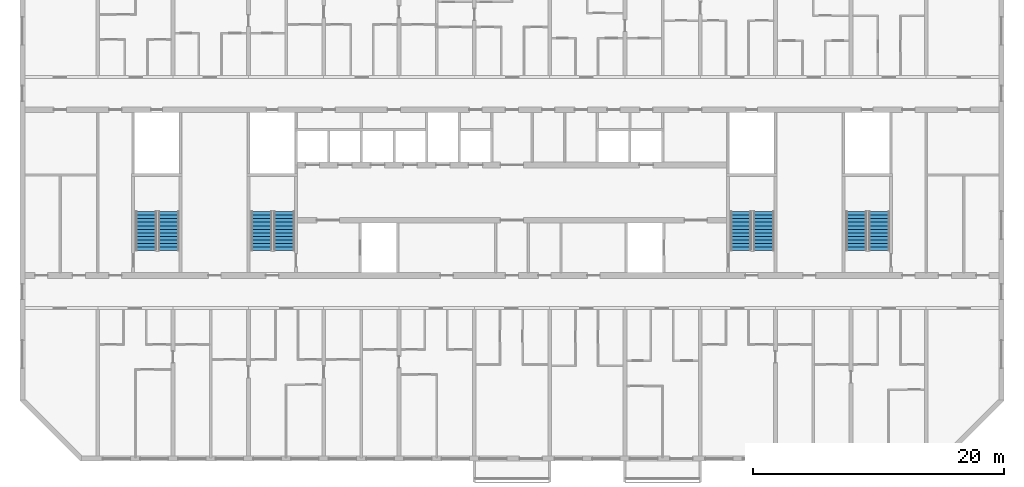
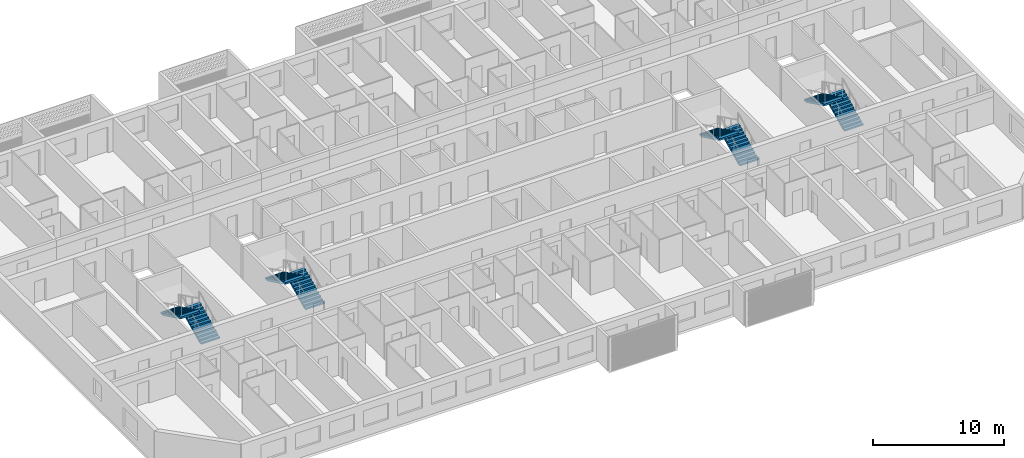
# One storey, part 13 of 31: 8 stair flights, 4 elements without a shape of their own.
"""IFC4 building model written with IfcOpenShell, lengths in metres."""

from ifc_helpers import new_model, si_unit, direction, frame, origin, place, context, subcontext, project, spatial, polyline, outline, extrude, material, layer, layer_set, type_object, element, aggregate, save


model = new_model("IFC4")

# Units and contexts
model_context = context("Model", 3, precision=1e-05, world=origin(), true_north=direction((0.0, 1.0)))
body_context = subcontext(model_context, "Body", "Model", "MODEL_VIEW")
ifc_project = project(units=[si_unit("LENGTHUNIT", "METRE"), si_unit("AREAUNIT", "SQUARE_METRE"), si_unit("VOLUMEUNIT", "CUBIC_METRE"), si_unit("PLANEANGLEUNIT", "RADIAN"), si_unit("MASSUNIT", "GRAM", prefix="KILO")], contexts=[model_context])

# Site, building, storey
site_placement = place(None, origin())
site = spatial("IfcSite", under=ifc_project, at=site_placement, CompositionType="ELEMENT")
building_placement = place(site_placement, origin())
building = spatial("IfcBuilding", under=site, at=building_placement, Name="Poui Terraces", CompositionType="ELEMENT")
storey_placement = place(building_placement, frame((0.0, 0.0, 145.5)))
storey = spatial("IfcBuildingStorey", under=building, at=storey_placement, Name="L40", CompositionType="ELEMENT", Elevation=145.5)

# Stair, stair flights
ifc_material = material(Name="Concrete 65 MPa", Category="concrete")
stair_type = type_object("IfcStairType", Name="EXIT STAIR 1650 65 MPA", PredefinedType="HALF_TURN_STAIR", material=ifc_material)
stair_1_placement = place(storey_placement, origin())
stair_1 = element("IfcStair", 1, at=stair_1_placement, inside=storey, type_object=stair_type, Name="L40 CORE STAIR EAST", PredefinedType="HALF_TURN_STAIR")
ifc_layer = layer(ifc_material, 0.14990234375)
ifc_layer_set = layer_set([ifc_layer], Name="Concrete 65 MPa")
stair_flight_type = type_object("IfcStairFlightType", Name="STAIR FLIGHT 12 RISERS 138 RISE 65 MPA", PredefinedType="STRAIGHT", material=ifc_layer_set)
stair_flight_1_placement = place(storey_placement, frame((71.050048828125, 16.60009765625, 0.0), z_axis=(0.0, 0.0, 1.0), x_axis=(0.0, 1.0, 0.0)))
stair_flight_1 = element("IfcStairFlight", 2, at=stair_flight_1_placement, type_object=stair_flight_type, Name="ST-CE flight 1", NumberOfRisers=12, NumberOfTreads=11, PredefinedType="STRAIGHT", RiserHeight=0.1375, TreadLength=0.28, context=body_context, shape_type="SweptSolid", body=[
    extrude(outline(polyline([(0.0, 0.0), (0.0, 0.137451171875), (0.280029296875, 0.137451171875), (0.280029296875, 0.27490234375), (0.56005859375, 0.27490234375), (0.56005859375, 0.41259765625), (0.840087890625, 0.41259765625), (0.840087890625, 0.550048828125), (1.1201171875, 0.550048828125), (1.1201171875, 0.6875), (1.39990234375, 0.6875), (1.39990234375, 0.824951171875), (1.679931640625, 0.824951171875), (1.679931640625, 0.96240234375), (1.9599609375, 0.96240234375), (1.9599609375, 1.10009765625), (2.239990234375, 1.10009765625), (2.239990234375, 1.237548828125), (2.52001953125, 1.237548828125), (2.52001953125, 1.375), (2.800048828125, 1.375), (2.800048828125, 1.512451171875), (3.080078125, 1.512451171875), (3.080078125, 1.64990234375), (3.080078125, 1.345458984375), (0.340087890625, 0.0), (0.0, 0.0)])), frame((0.0, 0.824951171875, 0.0), z_axis=(0.0, -1.0, 0.0), x_axis=(1.0, 0.0, 0.0)), (0.0, 0.0, 1.0), 1.64990234375),
])
stair_flight_2_placement = place(storey_placement, frame((69.25, 19.679931640625, 1.64990234375), z_axis=(0.0, 0.0, 1.0), x_axis=(0.0, -1.0, 0.0)))
stair_flight_2 = element("IfcStairFlight", 3, at=stair_flight_2_placement, type_object=stair_flight_type, Name="ST-CE flight 2", NumberOfRisers=12, NumberOfTreads=11, PredefinedType="STRAIGHT", RiserHeight=0.1375, TreadLength=0.28, context=body_context, shape_type="SweptSolid", body=[
    extrude(outline(polyline([(0.0, 0.0), (0.0, 0.137451171875), (0.280029296875, 0.137451171875), (0.280029296875, 0.27490234375), (0.56005859375, 0.27490234375), (0.56005859375, 0.41259765625), (0.840087890625, 0.41259765625), (0.840087890625, 0.550048828125), (1.1201171875, 0.550048828125), (1.1201171875, 0.6875), (1.39990234375, 0.6875), (1.39990234375, 0.824951171875), (1.679931640625, 0.824951171875), (1.679931640625, 0.96240234375), (1.9599609375, 0.96240234375), (1.9599609375, 1.10009765625), (2.239990234375, 1.10009765625), (2.239990234375, 1.237548828125), (2.52001953125, 1.237548828125), (2.52001953125, 1.375), (2.800048828125, 1.375), (2.800048828125, 1.512451171875), (3.080078125, 1.512451171875), (3.080078125, 1.64990234375), (3.080078125, 1.345458984375), (0.340087890625, 0.0), (0.0, 0.0)])), frame((0.0, 0.824951171875, 0.0), z_axis=(0.0, -1.0, 0.0), x_axis=(1.0, 0.0, 0.0)), (0.0, 0.0, 1.0), 1.64990234375),
])
aggregate(stair_1, [stair_flight_1, stair_flight_2])

stair_2_placement = place(storey_placement, origin())
stair_2 = element("IfcStair", 4, at=stair_2_placement, inside=storey, type_object=stair_type, Name="L40 CORE STAIR WEST", PredefinedType="HALF_TURN_STAIR")
stair_flight_3_placement = place(storey_placement, frame((32.85009765625, 16.60009765625, 0.0), z_axis=(0.0, 0.0, 1.0), x_axis=(0.0, 1.0, 0.0)))
stair_flight_3 = element("IfcStairFlight", 5, at=stair_flight_3_placement, type_object=stair_flight_type, Name="ST-CW flight 1", NumberOfRisers=12, NumberOfTreads=11, PredefinedType="STRAIGHT", RiserHeight=0.1375, TreadLength=0.28, context=body_context, shape_type="SweptSolid", body=[
    extrude(outline(polyline([(0.0, 0.0), (0.0, 0.137451171875), (0.280029296875, 0.137451171875), (0.280029296875, 0.27490234375), (0.56005859375, 0.27490234375), (0.56005859375, 0.41259765625), (0.840087890625, 0.41259765625), (0.840087890625, 0.550048828125), (1.1201171875, 0.550048828125), (1.1201171875, 0.6875), (1.39990234375, 0.6875), (1.39990234375, 0.824951171875), (1.679931640625, 0.824951171875), (1.679931640625, 0.96240234375), (1.9599609375, 0.96240234375), (1.9599609375, 1.10009765625), (2.239990234375, 1.10009765625), (2.239990234375, 1.237548828125), (2.52001953125, 1.237548828125), (2.52001953125, 1.375), (2.800048828125, 1.375), (2.800048828125, 1.512451171875), (3.080078125, 1.512451171875), (3.080078125, 1.64990234375), (3.080078125, 1.345458984375), (0.340087890625, 0.0), (0.0, 0.0)])), frame((0.0, 0.824951171875, 0.0), z_axis=(0.0, -1.0, 0.0), x_axis=(1.0, 0.0, 0.0)), (0.0, 0.0, 1.0), 1.64990234375),
])
stair_flight_4_placement = place(storey_placement, frame((31.050048828125, 19.679931640625, 1.64990234375), z_axis=(0.0, 0.0, 1.0), x_axis=(0.0, -1.0, 0.0)))
stair_flight_4 = element("IfcStairFlight", 6, at=stair_flight_4_placement, type_object=stair_flight_type, Name="ST-CW flight 2", NumberOfRisers=12, NumberOfTreads=11, PredefinedType="STRAIGHT", RiserHeight=0.1375, TreadLength=0.28, context=body_context, shape_type="SweptSolid", body=[
    extrude(outline(polyline([(0.0, 0.0), (0.0, 0.137451171875), (0.280029296875, 0.137451171875), (0.280029296875, 0.27490234375), (0.56005859375, 0.27490234375), (0.56005859375, 0.41259765625), (0.840087890625, 0.41259765625), (0.840087890625, 0.550048828125), (1.1201171875, 0.550048828125), (1.1201171875, 0.6875), (1.39990234375, 0.6875), (1.39990234375, 0.824951171875), (1.679931640625, 0.824951171875), (1.679931640625, 0.96240234375), (1.9599609375, 0.96240234375), (1.9599609375, 1.10009765625), (2.239990234375, 1.10009765625), (2.239990234375, 1.237548828125), (2.52001953125, 1.237548828125), (2.52001953125, 1.375), (2.800048828125, 1.375), (2.800048828125, 1.512451171875), (3.080078125, 1.512451171875), (3.080078125, 1.64990234375), (3.080078125, 1.345458984375), (0.340087890625, 0.0), (0.0, 0.0)])), frame((0.0, 0.824951171875, 0.0), z_axis=(0.0, -1.0, 0.0), x_axis=(1.0, 0.0, 0.0)), (0.0, 0.0, 1.0), 1.64990234375),
])
aggregate(stair_2, [stair_flight_3, stair_flight_4])

stair_3_placement = place(storey_placement, origin())
stair_3 = element("IfcStair", 7, at=stair_3_placement, inside=storey, type_object=stair_type, Name="L40 TIP STAIR EAST", PredefinedType="HALF_TURN_STAIR")
stair_flight_5_placement = place(storey_placement, frame((80.25, 16.60009765625, 0.0), z_axis=(0.0, 0.0, 1.0), x_axis=(0.0, 1.0, 0.0)))
stair_flight_5 = element("IfcStairFlight", 8, at=stair_flight_5_placement, type_object=stair_flight_type, Name="ST-E flight 1", NumberOfRisers=12, NumberOfTreads=11, PredefinedType="STRAIGHT", RiserHeight=0.1375, TreadLength=0.28, context=body_context, shape_type="SweptSolid", body=[
    extrude(outline(polyline([(0.0, 0.0), (0.0, 0.137451171875), (0.280029296875, 0.137451171875), (0.280029296875, 0.27490234375), (0.56005859375, 0.27490234375), (0.56005859375, 0.41259765625), (0.840087890625, 0.41259765625), (0.840087890625, 0.550048828125), (1.1201171875, 0.550048828125), (1.1201171875, 0.6875), (1.39990234375, 0.6875), (1.39990234375, 0.824951171875), (1.679931640625, 0.824951171875), (1.679931640625, 0.96240234375), (1.9599609375, 0.96240234375), (1.9599609375, 1.10009765625), (2.239990234375, 1.10009765625), (2.239990234375, 1.237548828125), (2.52001953125, 1.237548828125), (2.52001953125, 1.375), (2.800048828125, 1.375), (2.800048828125, 1.512451171875), (3.080078125, 1.512451171875), (3.080078125, 1.64990234375), (3.080078125, 1.345458984375), (0.340087890625, 0.0), (0.0, 0.0)])), frame((0.0, 0.824951171875, 0.0), z_axis=(0.0, -1.0, 0.0), x_axis=(1.0, 0.0, 0.0)), (0.0, 0.0, 1.0), 1.64990234375),
])
stair_flight_6_placement = place(storey_placement, frame((78.449951171875, 19.679931640625, 1.64990234375), z_axis=(0.0, 0.0, 1.0), x_axis=(0.0, -1.0, 0.0)))
stair_flight_6 = element("IfcStairFlight", 9, at=stair_flight_6_placement, type_object=stair_flight_type, Name="ST-E flight 2", NumberOfRisers=12, NumberOfTreads=11, PredefinedType="STRAIGHT", RiserHeight=0.1375, TreadLength=0.28, context=body_context, shape_type="SweptSolid", body=[
    extrude(outline(polyline([(0.0, 0.0), (0.0, 0.137451171875), (0.280029296875, 0.137451171875), (0.280029296875, 0.27490234375), (0.56005859375, 0.27490234375), (0.56005859375, 0.41259765625), (0.840087890625, 0.41259765625), (0.840087890625, 0.550048828125), (1.1201171875, 0.550048828125), (1.1201171875, 0.6875), (1.39990234375, 0.6875), (1.39990234375, 0.824951171875), (1.679931640625, 0.824951171875), (1.679931640625, 0.96240234375), (1.9599609375, 0.96240234375), (1.9599609375, 1.10009765625), (2.239990234375, 1.10009765625), (2.239990234375, 1.237548828125), (2.52001953125, 1.237548828125), (2.52001953125, 1.375), (2.800048828125, 1.375), (2.800048828125, 1.512451171875), (3.080078125, 1.512451171875), (3.080078125, 1.64990234375), (3.080078125, 1.345458984375), (0.340087890625, 0.0), (0.0, 0.0)])), frame((0.0, 0.824951171875, 0.0), z_axis=(0.0, -1.0, 0.0), x_axis=(1.0, 0.0, 0.0)), (0.0, 0.0, 1.0), 1.64990234375),
])
aggregate(stair_3, [stair_flight_5, stair_flight_6])

stair_4_placement = place(storey_placement, origin())
stair_4 = element("IfcStair", 10, at=stair_4_placement, inside=storey, type_object=stair_type, Name="L40 TIP STAIR WEST", PredefinedType="HALF_TURN_STAIR")
stair_flight_7_placement = place(storey_placement, frame((23.64990234375, 16.60009765625, 0.0), z_axis=(0.0, 0.0, 1.0), x_axis=(0.0, 1.0, 0.0)))
stair_flight_7 = element("IfcStairFlight", 11, at=stair_flight_7_placement, type_object=stair_flight_type, Name="ST-W flight 1", NumberOfRisers=12, NumberOfTreads=11, PredefinedType="STRAIGHT", RiserHeight=0.1375, TreadLength=0.28, context=body_context, shape_type="SweptSolid", body=[
    extrude(outline(polyline([(0.0, 0.0), (0.0, 0.137451171875), (0.280029296875, 0.137451171875), (0.280029296875, 0.27490234375), (0.56005859375, 0.27490234375), (0.56005859375, 0.41259765625), (0.840087890625, 0.41259765625), (0.840087890625, 0.550048828125), (1.1201171875, 0.550048828125), (1.1201171875, 0.6875), (1.39990234375, 0.6875), (1.39990234375, 0.824951171875), (1.679931640625, 0.824951171875), (1.679931640625, 0.96240234375), (1.9599609375, 0.96240234375), (1.9599609375, 1.10009765625), (2.239990234375, 1.10009765625), (2.239990234375, 1.237548828125), (2.52001953125, 1.237548828125), (2.52001953125, 1.375), (2.800048828125, 1.375), (2.800048828125, 1.512451171875), (3.080078125, 1.512451171875), (3.080078125, 1.64990234375), (3.080078125, 1.345458984375), (0.340087890625, 0.0), (0.0, 0.0)])), frame((0.0, 0.824951171875, 0.0), z_axis=(0.0, -1.0, 0.0), x_axis=(1.0, 0.0, 0.0)), (0.0, 0.0, 1.0), 1.64990234375),
])
stair_flight_8_placement = place(storey_placement, frame((21.85009765625, 19.679931640625, 1.64990234375), z_axis=(0.0, 0.0, 1.0), x_axis=(0.0, -1.0, 0.0)))
stair_flight_8 = element("IfcStairFlight", 12, at=stair_flight_8_placement, type_object=stair_flight_type, Name="ST-W flight 2", NumberOfRisers=12, NumberOfTreads=11, PredefinedType="STRAIGHT", RiserHeight=0.1375, TreadLength=0.28, context=body_context, shape_type="SweptSolid", body=[
    extrude(outline(polyline([(0.0, 0.0), (0.0, 0.137451171875), (0.280029296875, 0.137451171875), (0.280029296875, 0.27490234375), (0.56005859375, 0.27490234375), (0.56005859375, 0.41259765625), (0.840087890625, 0.41259765625), (0.840087890625, 0.550048828125), (1.1201171875, 0.550048828125), (1.1201171875, 0.6875), (1.39990234375, 0.6875), (1.39990234375, 0.824951171875), (1.679931640625, 0.824951171875), (1.679931640625, 0.96240234375), (1.9599609375, 0.96240234375), (1.9599609375, 1.10009765625), (2.239990234375, 1.10009765625), (2.239990234375, 1.237548828125), (2.52001953125, 1.237548828125), (2.52001953125, 1.375), (2.800048828125, 1.375), (2.800048828125, 1.512451171875), (3.080078125, 1.512451171875), (3.080078125, 1.64990234375), (3.080078125, 1.345458984375), (0.340087890625, 0.0), (0.0, 0.0)])), frame((0.0, 0.824951171875, 0.0), z_axis=(0.0, -1.0, 0.0), x_axis=(1.0, 0.0, 0.0)), (0.0, 0.0, 1.0), 1.64990234375),
])
aggregate(stair_4, [stair_flight_7, stair_flight_8])

save(model, "model.ifc")
